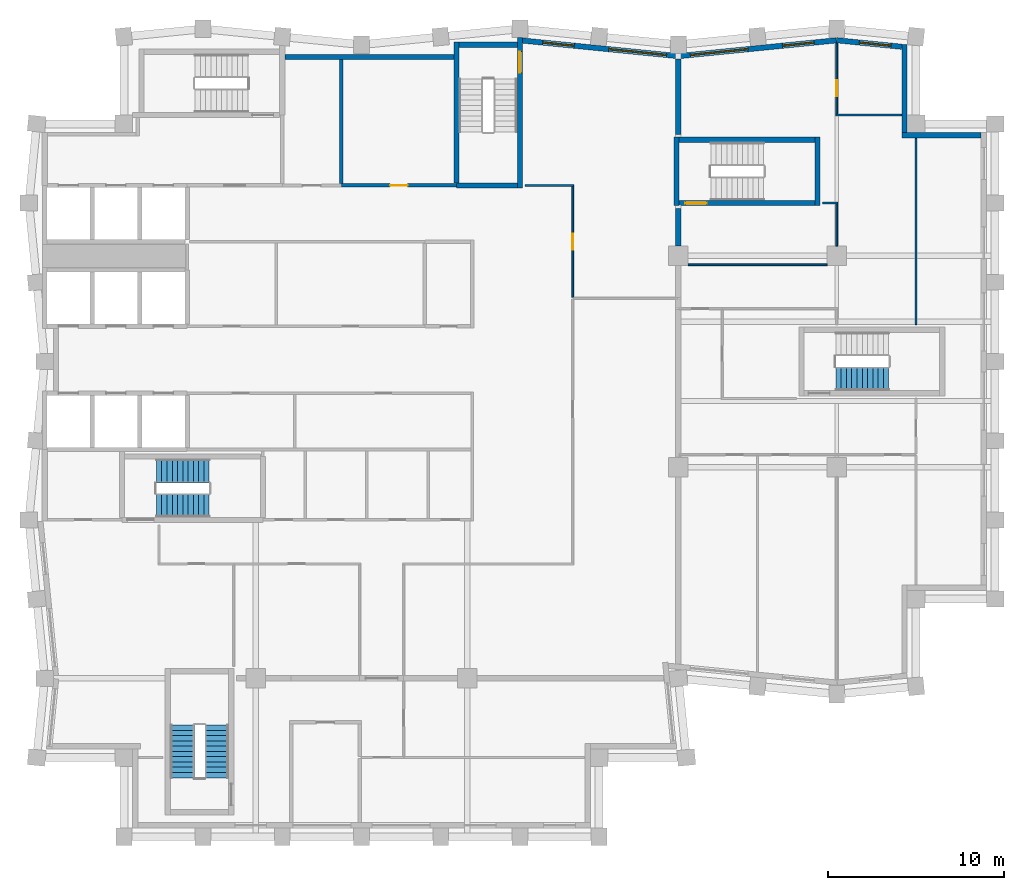
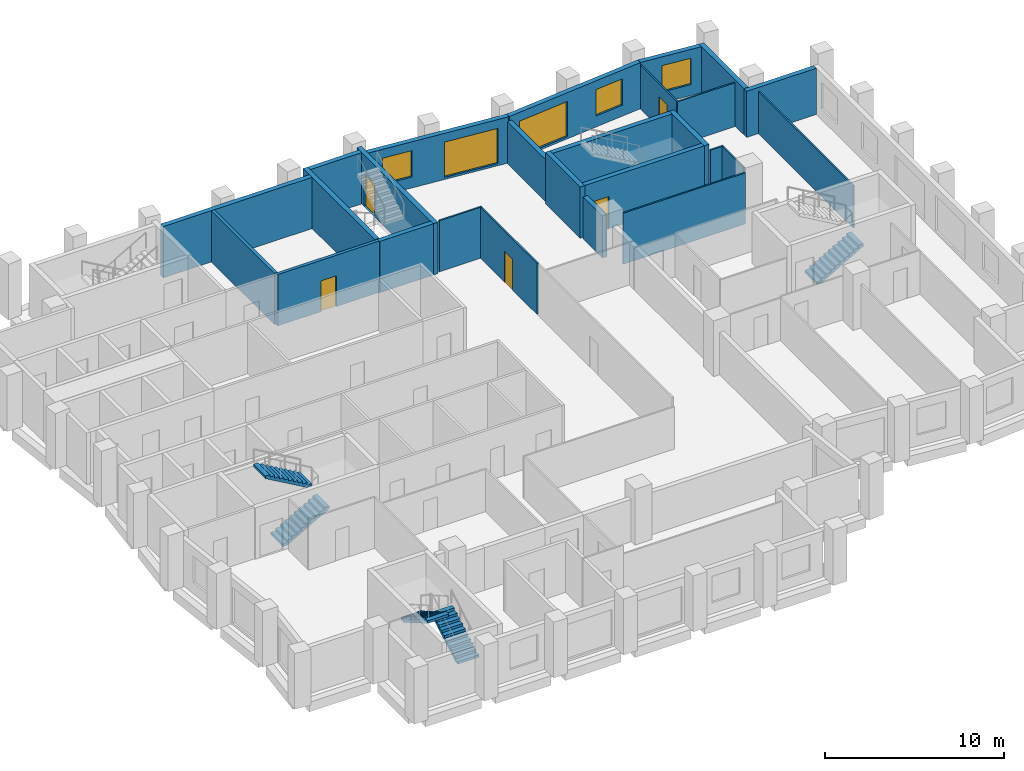
# One storey, part 6 of 8: 26 walls, 5 doors, 5 stair flights, 5 windows, 10 openings, 3 elements without a shape of their own.
"""IFC4 building model written with IfcOpenShell, lengths in metres."""

from ifc_helpers import new_model, si_unit, direction, frame, frame_2d, origin, place, context, subcontext, project, spatial, polyline, rectangle, outline, extrude, material, layer, layer_set, type_object, element, fill, aggregate, save


model = new_model("IFC4")

# Units and contexts
model_context = context("Model", 3, precision=1e-05, world=origin(), true_north=direction((0.0, 1.0)))
body_context = subcontext(model_context, "Body", "Model", "MODEL_VIEW")
ifc_project = project(units=[si_unit("LENGTHUNIT", "METRE"), si_unit("AREAUNIT", "SQUARE_METRE"), si_unit("VOLUMEUNIT", "CUBIC_METRE"), si_unit("PLANEANGLEUNIT", "RADIAN"), si_unit("MASSUNIT", "GRAM", prefix="KILO")], contexts=[model_context])

# Site, building, storey
site_placement = place(None, origin())
site = spatial("IfcSite", under=ifc_project, at=site_placement, CompositionType="ELEMENT")
building_placement = place(site_placement, origin())
building = spatial("IfcBuilding", under=site, at=building_placement, Name="Brondeck Convention Tower", CompositionType="ELEMENT")
storey_placement = place(building_placement, frame((0.0, 0.0, 229.199951171875)))
storey = spatial("IfcBuildingStorey", under=building, at=storey_placement, Name="L56", CompositionType="ELEMENT", Elevation=229.199951171875)

# Walls
ifc_material_1 = material(Name="Concrete compartment wall C30/37", Category="concrete")
ifc_layer_1 = layer(ifc_material_1, 0.300048828125)
ifc_layer_set_1 = layer_set([ifc_layer_1], Name="Compartment wall 300")
wall_type_1 = type_object("IfcWallType", Name="Compartment wall 300", PredefinedType="PARTITIONING", material=ifc_layer_set_1)
wall_1_placement = place(storey_placement, frame((36.0, 51.554931640625, 0.0), z_axis=(0.0, 0.0, 1.0), x_axis=(0.0, 1.0, 0.0)))
element("IfcWall", 1, at=wall_1_placement, inside=storey, type_object=wall_type_1, Name="FLR-L56-W048", PredefinedType="PARTITIONING", context=body_context, shape_type="SweptSolid", body=[
    extrude(rectangle(XDim=2.14501953125, YDim=0.300048828125, at=frame_2d((1.072509765625, 0.0))), origin(), (0.0, 0.0, 1.0), 2.880126953125),
])
wall_2_placement = place(storey_placement, frame((36.0, 57.89990234375, 0.0), z_axis=(0.0, 0.0, 1.0), x_axis=(0.0, 1.0, 0.0)))
element("IfcWall", 2, at=wall_2_placement, inside=storey, type_object=wall_type_1, Name="FLR-L56-W053", PredefinedType="PARTITIONING", context=body_context, shape_type="SweptSolid", body=[
    extrude(rectangle(XDim=4.2763671875, YDim=0.300048828125, at=frame_2d((2.13818359375, 0.0))), origin(), (0.0, 0.0, 1.0), 2.880126953125),
])
ifc_material_2 = material(Name="Concrete C50/60", Category="concrete")
ifc_layer_2 = layer(ifc_material_2, 0.300048828125)
ifc_layer_set_2 = layer_set([ifc_layer_2], Name="Core outer wall 300 Concrete C50/60")
wall_type_2 = type_object("IfcWallType", Name="Core outer wall 300 Concrete C50/60", PredefinedType="SHEAR", material=ifc_layer_set_2)
wall_3_placement = place(storey_placement, frame((13.64990234375, 62.300048828125, 0.0), z_axis=(0.0, 0.0, 1.0), x_axis=(1.0, 0.0, 0.0)))
element("IfcWall", 3, at=wall_3_placement, inside=storey, type_object=wall_type_2, Name="L56 core wall", PredefinedType="SHEAR", context=body_context, shape_type="SweptSolid", body=[
    extrude(rectangle(XDim=9.60009765625, YDim=0.300048828125, at=frame_2d((4.800048828125, 0.0))), origin(), (0.0, 0.0, 1.0), 3.5),
])
ifc_material_3 = material(Name="Precast concrete C50/60 bronze finish", Category="concrete")
ifc_layer_3 = layer(ifc_material_3, 0.070068359375, Name="Bronze precast facing")
ifc_material_4 = material(Name="Mineral wool")
ifc_layer_4 = layer(ifc_material_4, 0.159912109375, Name="Insulation")
ifc_material_5 = material(Name="Concrete C35/45", Category="concrete")
ifc_layer_5 = layer(ifc_material_5, 0.070068359375, Name="Backing")
ifc_layer_set_3 = layer_set([ifc_layer_3, ifc_layer_4, ifc_layer_5], Name="External infill wall, precast concrete C50/60 bronze facing")
wall_type_3 = type_object("IfcWallType", Name="External infill wall, precast concrete C50/60 bronze facing", PredefinedType="SOLIDWALL", material=ifc_layer_set_3)
wall_4_placement = place(storey_placement, frame((48.699951171875, 57.85009765625, 0.0), z_axis=(0.0, 0.0, 1.0), x_axis=(1.0, 0.0, 0.0)))
element("IfcWall", 4, at=wall_4_placement, inside=storey, type_object=wall_type_3, Name="ENV-EW-L56-P2-NC-NEA54-01", PredefinedType="SOLIDWALL", context=body_context, shape_type="SweptSolid", body=[
    extrude(rectangle(XDim=4.501953125, YDim=0.300048828125, at=frame_2d((2.2509765625, 0.0))), origin(), (0.0, 0.0, 1.0), 3.150146484375),
])
wall_5_placement = place(storey_placement, frame((48.85009765625, 62.99755859375, 0.0), z_axis=(0.0, 0.0, 1.0), x_axis=(0.0, -1.0, 0.0)))
element("IfcWall", 5, at=wall_5_placement, inside=storey, type_object=wall_type_3, Name="ENV-EW-L56-P2-NC-NEA54-02", PredefinedType="SOLIDWALL", context=body_context, shape_type="SweptSolid", body=[
    extrude(rectangle(XDim=4.99951171875, YDim=0.300048828125, at=frame_2d((2.499755859375, 0.0))), origin(), (0.0, 0.0, 1.0), 3.150146484375),
])

# Wall, opening, window
wall_6_placement = place(storey_placement, frame((44.985107421875, 63.248291015625, 0.0), z_axis=(0.0, 0.0, 1.0), x_axis=(0.995037837869, -0.099497242219, 0.0)))
wall_6 = element("IfcWall", 6, at=wall_6_placement, inside=storey, type_object=wall_type_3, Name="ENV-EW-L56-P2-A-N-10", PredefinedType="SOLIDWALL", context=body_context, shape_type="SweptSolid", body=[
    extrude(rectangle(XDim=3.732177734375, YDim=0.300048828125, at=frame_2d((1.8662109375, 0.0))), origin(), (0.0, 0.0, 1.0), 3.150146484375),
])
opening_1_placement = place(wall_6_placement, frame((1.311279296875, 0.0, 0.75)))
opening_1 = element("IfcOpeningElement", 7, at=opening_1_placement, cuts=wall_6, Name="Opening W10", PredefinedType="OPENING", context=body_context, shape_type="SweptSolid", body=[
    extrude(rectangle(XDim=1.800048828125, YDim=1.800048828125, at=frame_2d((0.89990234375, 0.89990234375))), frame((0.0, 0.159912109375, 0.0), z_axis=(0.0, -1.0, 0.0), x_axis=(1.0, 0.0, 0.0)), (0.0, 0.0, 1.0), 0.320068359375),
])
ifc_material_6 = material(Name="Bronze tinted double glazing", Category="glass")
window_type_1 = type_object("IfcWindowType", Name="Punched window, bronze tinted", PartitioningType="SINGLE_PANEL", PredefinedType="WINDOW", material=ifc_material_6)
window_1_placement = place(opening_1_placement, origin())
window_1 = element("IfcWindow", 8, at=window_1_placement, inside=storey, type_object=window_type_1, Name="ENV-WN-L56-P2-A-N-10", OverallHeight=1.800048828125, OverallWidth=1.800048828125, PartitioningType="SINGLE_PANEL", PredefinedType="WINDOW", context=body_context, shape_type="SweptSolid", body=[
    extrude(rectangle(XDim=1.800048828125, YDim=1.800048828125, at=frame_2d((0.89990234375, 0.89990234375))), frame((0.0, 0.030029296875, 0.0), z_axis=(0.0, -1.0, 0.0), x_axis=(1.0, 0.0, 0.0)), (0.0, 0.0, 1.0), 0.06005859375),
])
fill(opening_1, window_1)

# Wall, openings, windows
wall_7_placement = place(storey_placement, frame((35.985107421875, 62.34521484375, 0.0), z_axis=(0.0, 0.0, 1.0), x_axis=(0.995035316196, 0.099522457379, 0.0)))
wall_7 = element("IfcWall", 9, at=wall_7_placement, inside=storey, type_object=wall_type_3, Name="ENV-EW-L56-P2-A-N-09", PredefinedType="SOLIDWALL", context=body_context, shape_type="SweptSolid", body=[
    extrude(rectangle(XDim=9.030029296875, YDim=0.300048828125, at=frame_2d((4.51513671875, 0.0))), origin(), (0.0, 0.0, 1.0), 3.150146484375),
])
opening_2_placement = place(wall_7_placement, frame((0.691162109375, 0.0, 0.14990234375)))
opening_2 = element("IfcOpeningElement", 10, at=opening_2_placement, cuts=wall_7, Name="Opening W9", PredefinedType="OPENING", context=body_context, shape_type="SweptSolid", body=[
    extrude(rectangle(XDim=3.300048828125, YDim=2.39990234375, at=frame_2d((1.64990234375, 1.199951171875))), frame((0.0, 0.159912109375, 0.0), z_axis=(0.0, -1.0, 0.0), x_axis=(1.0, 0.0, 0.0)), (0.0, 0.0, 1.0), 0.320068359375),
])
opening_3_placement = place(wall_7_placement, frame((5.963623046875, 0.0, 0.75)))
opening_3 = element("IfcOpeningElement", 11, at=opening_3_placement, cuts=wall_7, Name="Opening W10", PredefinedType="OPENING", context=body_context, shape_type="SweptSolid", body=[
    extrude(rectangle(XDim=1.800048828125, YDim=1.800048828125, at=frame_2d((0.89990234375, 0.89990234375))), frame((0.0, 0.159912109375, 0.0), z_axis=(0.0, -1.0, 0.0), x_axis=(1.0, 0.0, 0.0)), (0.0, 0.0, 1.0), 0.320068359375),
])
window_type_2 = type_object("IfcWindowType", Name="Glazed flute window, bronze tinted", PartitioningType="SINGLE_PANEL", PredefinedType="WINDOW", material=ifc_material_6)
window_2_placement = place(opening_2_placement, origin())
window_2 = element("IfcWindow", 12, at=window_2_placement, inside=storey, type_object=window_type_2, Name="ENV-WN-L56-P2-A-N-08", OverallHeight=2.39990234375, OverallWidth=3.300048828125, PartitioningType="SINGLE_PANEL", PredefinedType="WINDOW", context=body_context, shape_type="SweptSolid", body=[
    extrude(rectangle(XDim=3.300048828125, YDim=2.39990234375, at=frame_2d((1.64990234375, 1.199951171875))), frame((0.0, 0.030029296875, 0.0), z_axis=(0.0, -1.0, 0.0), x_axis=(1.0, 0.0, 0.0)), (0.0, 0.0, 1.0), 0.06005859375),
])
fill(opening_2, window_2)
window_3_placement = place(opening_3_placement, origin())
window_3 = element("IfcWindow", 13, at=window_3_placement, inside=storey, type_object=window_type_1, Name="ENV-WN-L56-P2-A-N-09", OverallHeight=1.800048828125, OverallWidth=1.800048828125, PartitioningType="SINGLE_PANEL", PredefinedType="WINDOW", context=body_context, shape_type="SweptSolid", body=[
    extrude(rectangle(XDim=1.800048828125, YDim=1.800048828125, at=frame_2d((0.89990234375, 0.89990234375))), frame((0.0, 0.030029296875, 0.0), z_axis=(0.0, -1.0, 0.0), x_axis=(1.0, 0.0, 0.0)), (0.0, 0.0, 1.0), 0.06005859375),
])
fill(opening_3, window_3)

wall_8_placement = place(storey_placement, frame((27.084716796875, 63.23828125, 0.0), z_axis=(0.0, 0.0, 1.0), x_axis=(0.995035836657, -0.099517253618, 0.0)))
wall_8 = element("IfcWall", 14, at=wall_8_placement, inside=storey, type_object=wall_type_3, Name="ENV-EW-L56-P2-A-N-07", PredefinedType="SOLIDWALL", context=body_context, shape_type="SweptSolid", body=[
    extrude(rectangle(XDim=8.929931640625, YDim=0.300048828125, at=frame_2d((4.46484375, 0.0))), origin(), (0.0, 0.0, 1.0), 3.150146484375),
])
opening_4_placement = place(wall_8_placement, frame((1.211181640625, 0.0, 0.75)))
opening_4 = element("IfcOpeningElement", 15, at=opening_4_placement, cuts=wall_8, Name="Opening W10", PredefinedType="OPENING", context=body_context, shape_type="SweptSolid", body=[
    extrude(rectangle(XDim=1.800048828125, YDim=1.800048828125, at=frame_2d((0.89990234375, 0.89990234375))), frame((0.0, 0.159912109375, 0.0), z_axis=(0.0, -1.0, 0.0), x_axis=(1.0, 0.0, 0.0)), (0.0, 0.0, 1.0), 0.320068359375),
])
opening_5_placement = place(wall_8_placement, frame((4.983642578125, 0.0, 0.14990234375)))
opening_5 = element("IfcOpeningElement", 16, at=opening_5_placement, cuts=wall_8, Name="Opening W9", PredefinedType="OPENING", context=body_context, shape_type="SweptSolid", body=[
    extrude(rectangle(XDim=3.300048828125, YDim=2.39990234375, at=frame_2d((1.64990234375, 1.199951171875))), frame((0.0, 0.159912109375, 0.0), z_axis=(0.0, -1.0, 0.0), x_axis=(1.0, 0.0, 0.0)), (0.0, 0.0, 1.0), 0.320068359375),
])
window_4_placement = place(opening_5_placement, origin())
window_4 = element("IfcWindow", 17, at=window_4_placement, inside=storey, type_object=window_type_2, Name="ENV-WN-L56-P2-A-N-07", OverallHeight=2.39990234375, OverallWidth=3.300048828125, PartitioningType="SINGLE_PANEL", PredefinedType="WINDOW", context=body_context, shape_type="SweptSolid", body=[
    extrude(rectangle(XDim=3.300048828125, YDim=2.39990234375, at=frame_2d((1.64990234375, 1.199951171875))), frame((0.0, 0.030029296875, 0.0), z_axis=(0.0, -1.0, 0.0), x_axis=(1.0, 0.0, 0.0)), (0.0, 0.0, 1.0), 0.06005859375),
])
fill(opening_5, window_4)
window_5_placement = place(opening_4_placement, origin())
window_5 = element("IfcWindow", 18, at=window_5_placement, inside=storey, type_object=window_type_1, Name="ENV-WN-L56-P2-A-N-06", OverallHeight=1.800048828125, OverallWidth=1.800048828125, PartitioningType="SINGLE_PANEL", PredefinedType="WINDOW", context=body_context, shape_type="SweptSolid", body=[
    extrude(rectangle(XDim=1.800048828125, YDim=1.800048828125, at=frame_2d((0.89990234375, 0.89990234375))), frame((0.0, 0.030029296875, 0.0), z_axis=(0.0, -1.0, 0.0), x_axis=(1.0, 0.0, 0.0)), (0.0, 0.0, 1.0), 0.06005859375),
])
fill(opening_4, window_5)

# Wall, opening, door
ifc_material_7 = material(Name="Fire-rated gypsum board partition")
ifc_layer_6 = layer(ifc_material_7, 0.199951171875)
ifc_layer_set_4 = layer_set([ifc_layer_6], Name="Riser wall 200 EI 120")
wall_type_4 = type_object("IfcWallType", Name="Riser wall 200 EI 120", PredefinedType="PARTITIONING", material=ifc_layer_set_4)
wall_9_placement = place(storey_placement, frame((16.85009765625, 55.0, 0.0), z_axis=(0.0, 0.0, 1.0), x_axis=(1.0, 0.0, 0.0)))
wall_9 = element("IfcWall", 19, at=wall_9_placement, inside=storey, type_object=wall_type_4, Name="L56 core wall", PredefinedType="PARTITIONING", context=body_context, shape_type="SweptSolid", body=[
    extrude(rectangle(XDim=6.5498046875, YDim=0.199951171875, at=frame_2d((3.27490234375, 0.0))), origin(), (0.0, 0.0, 1.0), 3.5),
])
opening_6_placement = place(wall_9_placement, frame((2.77490234375, 0.0, 0.0)))
opening_6 = element("IfcOpeningElement", 20, at=opening_6_placement, cuts=wall_9, Name="Opening C30-13", PredefinedType="OPENING", context=body_context, shape_type="SweptSolid", body=[
    extrude(rectangle(XDim=1.0, YDim=2.10009765625, at=frame_2d((0.5, 1.050048828125))), frame((0.0, 0.10986328125, 0.0), z_axis=(0.0, -1.0, 0.0), x_axis=(1.0, 0.0, 0.0)), (0.0, 0.0, 1.0), 0.219970703125),
])
ifc_material_8 = material(Name="Steel fire door", Category="steel")
door_type_1 = type_object("IfcDoorType", Name="Riser door 1000x2100 EI 120", OperationType="NOTDEFINED", PredefinedType="DOOR", material=ifc_material_8)
door_1_placement = place(opening_6_placement, origin())
door_1 = element("IfcDoor", 21, at=door_1_placement, inside=storey, type_object=door_type_1, Name="L56 Riser door NE-2", OperationType="SINGLE_SWING_RIGHT", OverallHeight=2.10009765625, OverallWidth=1.0, PredefinedType="DOOR", context=body_context, shape_type="SweptSolid", body=[
    extrude(rectangle(XDim=1.0, YDim=2.10009765625, at=frame_2d((0.5, 1.050048828125))), frame((0.0, 0.02490234375, 0.0), z_axis=(0.0, -1.0, 0.0), x_axis=(1.0, 0.0, 0.0)), (0.0, 0.0, 1.0), 0.050048828125),
])
fill(opening_6, door_1)

# Walls
wall_10_placement = place(storey_placement, frame((16.85009765625, 55.10009765625, 0.0), z_axis=(0.0, 0.0, 1.0), x_axis=(0.0, 1.0, 0.0)))
element("IfcWall", 22, at=wall_10_placement, inside=storey, type_object=wall_type_4, Name="L56 core wall", PredefinedType="PARTITIONING", context=body_context, shape_type="SweptSolid", body=[
    extrude(rectangle(XDim=7.0498046875, YDim=0.199951171875, at=frame_2d((3.52490234375, 0.0))), origin(), (0.0, 0.0, 1.0), 3.5),
])
ifc_material_9 = material(Name="Gypsum board partition on steel studs", Category="steel")
ifc_layer_7 = layer(ifc_material_9, 0.10009765625)
ifc_layer_set_5 = layer_set([ifc_layer_7], Name="Room partition 100")
wall_type_5 = type_object("IfcWallType", Name="Room partition 100", PredefinedType="PARTITIONING", material=ifc_layer_set_5)
wall_11_placement = place(storey_placement, frame((49.5, 47.10009765625, 0.0), z_axis=(0.0, 0.0, 1.0), x_axis=(0.0, 1.0, 0.0)))
element("IfcWall", 23, at=wall_11_placement, inside=storey, type_object=wall_type_5, Name="FLR-L56-W038", PredefinedType="PARTITIONING", context=body_context, shape_type="SweptSolid", body=[
    extrude(rectangle(XDim=10.579833984375, YDim=0.10009765625, at=frame_2d((5.2900390625, 0.0))), origin(), (0.0, 0.0, 1.0), 2.880126953125),
])
wall_12_placement = place(storey_placement, frame((44.445068359375, 50.5, 0.0), z_axis=(0.0, 0.0, 1.0), x_axis=(-1.0, 0.0, 0.0)))
element("IfcWall", 24, at=wall_12_placement, inside=storey, type_object=wall_type_5, Name="FLR-L56-W047", PredefinedType="PARTITIONING", context=body_context, shape_type="SweptSolid", body=[
    extrude(rectangle(XDim=7.89013671875, YDim=0.10009765625, at=frame_2d((3.945068359375, 0.0))), origin(), (0.0, 0.0, 1.0), 3.47998046875),
])
wall_13_placement = place(storey_placement, frame((45.0, 53.949951171875, 0.0), z_axis=(0.0, 0.0, 1.0), x_axis=(0.0, -1.0, 0.0)))
element("IfcWall", 25, at=wall_13_placement, inside=storey, type_object=wall_type_5, Name="FLR-L56-W049", PredefinedType="PARTITIONING", context=body_context, shape_type="SweptSolid", body=[
    extrude(rectangle(XDim=2.39501953125, YDim=0.10009765625, at=frame_2d((1.197509765625, 0.0))), origin(), (0.0, 0.0, 1.0), 2.97998046875),
])
wall_14_placement = place(storey_placement, frame((44.199951171875, 54.0, 0.0), z_axis=(0.0, 0.0, 1.0), x_axis=(1.0, 0.0, 0.0)))
element("IfcWall", 26, at=wall_14_placement, inside=storey, type_object=wall_type_5, Name="FLR-L56-W050", PredefinedType="PARTITIONING", context=body_context, shape_type="SweptSolid", body=[
    extrude(rectangle(XDim=0.85009765625, YDim=0.10009765625, at=frame_2d((0.425048828125, 0.0))), origin(), (0.0, 0.0, 1.0), 2.97998046875),
])

# Wall, opening, door
wall_15_placement = place(storey_placement, frame((30.0, 54.949951171875, 0.0), z_axis=(0.0, 0.0, 1.0), x_axis=(0.0, -1.0, 0.0)))
wall_15 = element("IfcWall", 27, at=wall_15_placement, inside=storey, type_object=wall_type_5, Name="FLR-L56-W051", PredefinedType="PARTITIONING", context=body_context, shape_type="SweptSolid", body=[
    extrude(rectangle(XDim=6.31201171875, YDim=0.10009765625, at=frame_2d((3.156005859375, 0.0))), origin(), (0.0, 0.0, 1.0), 3.47998046875),
])
opening_7_placement = place(wall_15_placement, frame((2.7060546875, 0.0, 0.0)))
opening_7 = element("IfcOpeningElement", 28, at=opening_7_placement, cuts=wall_15, Name="Opening OF-M-014", PredefinedType="OPENING", context=body_context, shape_type="SweptSolid", body=[
    extrude(rectangle(XDim=0.89990234375, YDim=2.10009765625, at=frame_2d((0.449951171875, 1.050048828125))), frame((0.0, 0.06005859375, 0.0), z_axis=(0.0, -1.0, 0.0), x_axis=(1.0, 0.0, 0.0)), (0.0, 0.0, 1.0), 0.1201171875),
])
ifc_material_10 = material(Name="Solid timber door leaf", Category="wood")
door_type_2 = type_object("IfcDoorType", Name="Single door 900", OperationType="NOTDEFINED", PredefinedType="DOOR", material=ifc_material_10)
door_2_placement = place(opening_7_placement, origin())
door_2 = element("IfcDoor", 29, at=door_2_placement, inside=storey, type_object=door_type_2, Name="Door OF-M-014", OperationType="SINGLE_SWING_LEFT", OverallHeight=2.10009765625, OverallWidth=0.89990234375, PredefinedType="DOOR", context=body_context, shape_type="SweptSolid", body=[
    extrude(rectangle(XDim=0.89990234375, YDim=2.10009765625, at=frame_2d((0.449951171875, 1.050048828125))), frame((0.0, 0.02490234375, 0.0), z_axis=(0.0, -1.0, 0.0), x_axis=(1.0, 0.0, 0.0)), (0.0, 0.0, 1.0), 0.050048828125),
])
fill(opening_7, door_2)

# Walls
wall_16_placement = place(storey_placement, frame((27.300048828125, 55.0, 0.0), z_axis=(0.0, 0.0, 1.0), x_axis=(1.0, 0.0, 0.0)))
element("IfcWall", 30, at=wall_16_placement, inside=storey, type_object=wall_type_5, Name="FLR-L56-W052", PredefinedType="PARTITIONING", context=body_context, shape_type="SweptSolid", body=[
    extrude(rectangle(XDim=2.75, YDim=0.10009765625, at=frame_2d((1.375, 0.0))), origin(), (0.0, 0.0, 1.0), 3.47998046875),
])
wall_17_placement = place(storey_placement, frame((44.949951171875, 59.0, 0.0), z_axis=(0.0, 0.0, 1.0), x_axis=(1.0, 0.0, 0.0)))
element("IfcWall", 31, at=wall_17_placement, inside=storey, type_object=wall_type_5, Name="FLR-L56-W054", PredefinedType="PARTITIONING", context=body_context, shape_type="SweptSolid", body=[
    extrude(rectangle(XDim=3.72998046875, YDim=0.10009765625, at=frame_2d((1.864990234375, 0.0))), origin(), (0.0, 0.0, 1.0), 2.97998046875),
])

# Wall, opening, door
wall_18_placement = place(storey_placement, frame((45.0, 63.076171875, 0.0), z_axis=(0.0, 0.0, 1.0), x_axis=(0.0, -1.0, 0.0)))
wall_18 = element("IfcWall", 32, at=wall_18_placement, inside=storey, type_object=wall_type_5, Name="FLR-L56-W056", PredefinedType="PARTITIONING", context=body_context, shape_type="SweptSolid", body=[
    extrude(rectangle(XDim=4.026123046875, YDim=0.10009765625, at=frame_2d((2.01318359375, 0.0))), origin(), (0.0, 0.0, 1.0), 2.97998046875),
])
opening_8_placement = place(wall_18_placement, frame((2.10107421875, 0.0, 0.0)))
opening_8 = element("IfcOpeningElement", 33, at=opening_8_placement, cuts=wall_18, Name="Opening OF-M-008", PredefinedType="OPENING", context=body_context, shape_type="SweptSolid", body=[
    extrude(rectangle(XDim=0.89990234375, YDim=2.10009765625, at=frame_2d((0.449951171875, 1.050048828125))), frame((0.0, 0.06005859375, 0.0), z_axis=(0.0, -1.0, 0.0), x_axis=(1.0, 0.0, 0.0)), (0.0, 0.0, 1.0), 0.1201171875),
])
door_3_placement = place(opening_8_placement, origin())
door_3 = element("IfcDoor", 34, at=door_3_placement, inside=storey, type_object=door_type_2, Name="Door OF-M-008", OperationType="SINGLE_SWING_LEFT", OverallHeight=2.10009765625, OverallWidth=0.89990234375, PredefinedType="DOOR", context=body_context, shape_type="SweptSolid", body=[
    extrude(rectangle(XDim=0.89990234375, YDim=2.10009765625, at=frame_2d((0.449951171875, 1.050048828125))), frame((0.0, 0.02490234375, 0.0), z_axis=(0.0, -1.0, 0.0), x_axis=(1.0, 0.0, 0.0)), (0.0, 0.0, 1.0), 0.050048828125),
])
fill(opening_8, door_3)

ifc_layer_8 = layer(ifc_material_2, 0.300048828125)
ifc_layer_set_6 = layer_set([ifc_layer_8], Name="Stair enclosure wall 300 Concrete C50/60")
wall_type_6 = type_object("IfcWallType", Name="Stair enclosure wall 300 Concrete C50/60", PredefinedType="SHEAR", material=ifc_layer_set_6)
wall_19_placement = place(storey_placement, frame((36.050048828125, 54.0, 0.0), z_axis=(0.0, 0.0, 1.0), x_axis=(1.0, 0.0, 0.0)))
wall_19 = element("IfcWall", 35, at=wall_19_placement, inside=storey, type_object=wall_type_6, Name="L56 core wall", PredefinedType="SHEAR", context=body_context, shape_type="SweptSolid", body=[
    extrude(rectangle(XDim=7.699951171875, YDim=0.300048828125, at=frame_2d((3.85009765625, 0.0))), origin(), (0.0, 0.0, 1.0), 3.5),
])
opening_9_placement = place(wall_19_placement, frame((0.35009765625, 0.0, 0.0)))
opening_9 = element("IfcOpeningElement", 36, at=opening_9_placement, cuts=wall_19, Name="Opening C30-17", PredefinedType="OPENING", context=body_context, shape_type="SweptSolid", body=[
    extrude(rectangle(XDim=1.199951171875, YDim=2.199951171875, at=frame_2d((0.60009765625, 1.10009765625))), frame((0.0, 0.159912109375, 0.0), z_axis=(0.0, -1.0, 0.0), x_axis=(1.0, 0.0, 0.0)), (0.0, 0.0, 1.0), 0.320068359375),
])
door_type_3 = type_object("IfcDoorType", Name="Stair door 1200x2200 EI 90", OperationType="NOTDEFINED", PredefinedType="DOOR", material=ifc_material_8)
door_4_placement = place(opening_9_placement, origin())
door_4 = element("IfcDoor", 37, at=door_4_placement, inside=storey, type_object=door_type_3, Name="L56 Stair door ST-AE", OperationType="SINGLE_SWING_LEFT", OverallHeight=2.199951171875, OverallWidth=1.199951171875, PredefinedType="DOOR", context=body_context, shape_type="SweptSolid", body=[
    extrude(rectangle(XDim=1.199951171875, YDim=2.199951171875, at=frame_2d((0.60009765625, 1.10009765625))), frame((0.0, 0.02490234375, 0.0), z_axis=(0.0, -1.0, 0.0), x_axis=(1.0, 0.0, 0.0)), (0.0, 0.0, 1.0), 0.050048828125),
])
fill(opening_9, door_4)

# Walls
wall_20_placement = place(storey_placement, frame((23.39990234375, 55.0, 0.0), z_axis=(0.0, 0.0, 1.0), x_axis=(1.0, 0.0, 0.0)))
element("IfcWall", 38, at=wall_20_placement, inside=storey, type_object=wall_type_6, Name="L56 core wall", PredefinedType="SHEAR", context=body_context, shape_type="SweptSolid", body=[
    extrude(rectangle(XDim=3.4501953125, YDim=0.300048828125, at=frame_2d((1.72509765625, 0.0))), origin(), (0.0, 0.0, 1.0), 3.5),
])
wall_21_placement = place(storey_placement, frame((36.050048828125, 57.60009765625, 0.0), z_axis=(0.0, 0.0, 1.0), x_axis=(1.0, 0.0, 0.0)))
element("IfcWall", 39, at=wall_21_placement, inside=storey, type_object=wall_type_6, Name="L56 core wall", PredefinedType="SHEAR", context=body_context, shape_type="SweptSolid", body=[
    extrude(rectangle(XDim=7.699951171875, YDim=0.300048828125, at=frame_2d((3.85009765625, 0.0))), origin(), (0.0, 0.0, 1.0), 3.5),
])
wall_22_placement = place(storey_placement, frame((23.550048828125, 63.0, 0.0), z_axis=(0.0, 0.0, 1.0), x_axis=(1.0, 0.0, 0.0)))
element("IfcWall", 40, at=wall_22_placement, inside=storey, type_object=wall_type_6, Name="L56 core wall", PredefinedType="SHEAR", context=body_context, shape_type="SweptSolid", body=[
    extrude(rectangle(XDim=3.300048828125, YDim=0.300048828125, at=frame_2d((1.64990234375, 0.0))), origin(), (0.0, 0.0, 1.0), 3.5),
])
wall_23_placement = place(storey_placement, frame((23.39990234375, 55.14990234375, 0.0), z_axis=(0.0, 0.0, 1.0), x_axis=(0.0, 1.0, 0.0)))
element("IfcWall", 41, at=wall_23_placement, inside=storey, type_object=wall_type_6, Name="L56 core wall", PredefinedType="SHEAR", context=body_context, shape_type="SweptSolid", body=[
    extrude(rectangle(XDim=8.0, YDim=0.300048828125, at=frame_2d((4.0, 0.0))), origin(), (0.0, 0.0, 1.0), 3.5),
])

# Wall, opening, door
wall_24_placement = place(storey_placement, frame((27.0, 54.85009765625, 0.0), z_axis=(0.0, 0.0, 1.0), x_axis=(0.0, 1.0, 0.0)))
wall_24 = element("IfcWall", 42, at=wall_24_placement, inside=storey, type_object=wall_type_6, Name="L56 core wall", PredefinedType="SHEAR", context=body_context, shape_type="SweptSolid", body=[
    extrude(rectangle(XDim=8.5498046875, YDim=0.300048828125, at=frame_2d((4.27490234375, 0.0))), origin(), (0.0, 0.0, 1.0), 3.5),
])
opening_10_placement = place(wall_24_placement, frame((6.550048828125, 0.0, 0.0)))
opening_10 = element("IfcOpeningElement", 43, at=opening_10_placement, cuts=wall_24, Name="Opening C30-15", PredefinedType="OPENING", context=body_context, shape_type="SweptSolid", body=[
    extrude(rectangle(XDim=1.199951171875, YDim=2.199951171875, at=frame_2d((0.60009765625, 1.10009765625))), frame((0.0, 0.159912109375, 0.0), z_axis=(0.0, -1.0, 0.0), x_axis=(1.0, 0.0, 0.0)), (0.0, 0.0, 1.0), 0.320068359375),
])
door_5_placement = place(opening_10_placement, origin())
door_5 = element("IfcDoor", 44, at=door_5_placement, inside=storey, type_object=door_type_3, Name="L56 Stair door ST-2", OperationType="SINGLE_SWING_LEFT", OverallHeight=2.199951171875, OverallWidth=1.199951171875, PredefinedType="DOOR", context=body_context, shape_type="SweptSolid", body=[
    extrude(rectangle(XDim=1.199951171875, YDim=2.199951171875, at=frame_2d((0.60009765625, 1.10009765625))), frame((0.0, 0.02490234375, 0.0), z_axis=(0.0, -1.0, 0.0), x_axis=(1.0, 0.0, 0.0)), (0.0, 0.0, 1.0), 0.050048828125),
])
fill(opening_10, door_5)

# Walls
for number, where, z_axis, x_axis, name in (
    (45, (35.89990234375, 53.85009765625, 0.0), (0.0, 0.0, 1.0), (0.0, 1.0, 0.0), "L56 core wall"),
    (46, (43.89990234375, 53.85009765625, 0.0), (0.0, 0.0, 1.0), (0.0, 1.0, 0.0), "L56 core wall"),
):
    element("IfcWall", number, at=place(storey_placement, frame(where, z_axis=z_axis, x_axis=x_axis)), inside=storey, type_object=wall_type_6, Name=name, PredefinedType="SHEAR", context=body_context, shape_type="SweptSolid", body=[
        extrude(rectangle(XDim=3.89990234375, YDim=0.300048828125, at=frame_2d((1.949951171875, 0.0))), origin(), (0.0, 0.0, 1.0), 3.5),
    ])

# Stair, stair flights
ifc_material_11 = material(Name="Precast concrete C50/60", Category="concrete")
stair_type = type_object("IfcStairType", Name="Core stair 22 risers 172.73 mm riser 300 mm going 1350 wide", PredefinedType="HALF_TURN_STAIR", material=ifc_material_11)
stair_1_placement = place(storey_placement, origin())
stair_1 = element("IfcStair", 47, at=stair_1_placement, inside=storey, type_object=stair_type, Name="ST-1 L56 stair", PredefinedType="HALF_TURN_STAIR")
stair_flight_type = type_object("IfcStairFlightType", Name="Core stair flight 22 risers 172.73 mm riser 300 mm going 1350 wide", PredefinedType="STRAIGHT", material=ifc_material_11)
stair_flight_1_placement = place(storey_placement, frame((6.35009765625, 36.824951171875, 0.0), z_axis=(0.0, 0.0, 1.0), x_axis=(1.0, 0.0, 0.0)))
stair_flight_1 = element("IfcStairFlight", 48, at=stair_flight_1_placement, type_object=stair_flight_type, Name="ST-1 flight 1", NumberOfRisers=11, NumberOfTreads=10, PredefinedType="STRAIGHT", RiserHeight=0.172727273, TreadLength=0.3, context=body_context, shape_type="SweptSolid", body=[
    extrude(outline(polyline([(0.0, 0.0), (0.0, 0.172607421875), (0.300048828125, 0.172607421875), (0.300048828125, 0.345458984375), (0.60009765625, 0.345458984375), (0.60009765625, 0.51806640625), (0.89990234375, 0.51806640625), (0.89990234375, 0.69091796875), (1.199951171875, 0.69091796875), (1.199951171875, 0.863525390625), (1.5, 0.863525390625), (1.5, 1.036376953125), (1.800048828125, 1.036376953125), (1.800048828125, 1.208984375), (2.10009765625, 1.208984375), (2.10009765625, 1.3818359375), (2.39990234375, 1.3818359375), (2.39990234375, 1.554443359375), (2.699951171875, 1.554443359375), (2.699951171875, 1.727294921875), (3.0, 1.727294921875), (3.0, 1.89990234375), (3.0, 1.55419921875), (0.300537109375, 0.0), (0.0, 0.0)])), frame((0.0, 0.675048828125, 0.0), z_axis=(0.0, -1.0, 0.0), x_axis=(1.0, 0.0, 0.0)), (0.0, 0.0, 1.0), 1.35009765625),
])
stair_flight_2_placement = place(storey_placement, frame((9.35009765625, 38.77490234375, 1.900146484375), z_axis=(0.0, 0.0, 1.0), x_axis=(-1.0, 0.0, 0.0)))
stair_flight_2 = element("IfcStairFlight", 49, at=stair_flight_2_placement, type_object=stair_flight_type, Name="ST-1 flight 2", NumberOfRisers=11, NumberOfTreads=10, PredefinedType="STRAIGHT", RiserHeight=0.172727273, TreadLength=0.3, context=body_context, shape_type="SweptSolid", body=[
    extrude(outline(polyline([(0.0, 0.0), (0.0, 0.172607421875), (0.300048828125, 0.172607421875), (0.300048828125, 0.345458984375), (0.60009765625, 0.345458984375), (0.60009765625, 0.51806640625), (0.89990234375, 0.51806640625), (0.89990234375, 0.69091796875), (1.199951171875, 0.69091796875), (1.199951171875, 0.863525390625), (1.5, 0.863525390625), (1.5, 1.036376953125), (1.800048828125, 1.036376953125), (1.800048828125, 1.208984375), (2.10009765625, 1.208984375), (2.10009765625, 1.3818359375), (2.39990234375, 1.3818359375), (2.39990234375, 1.554443359375), (2.699951171875, 1.554443359375), (2.699951171875, 1.727294921875), (3.0, 1.727294921875), (3.0, 1.89990234375), (3.0, 1.55419921875), (0.300537109375, 0.0), (0.0, 0.0)])), frame((0.0, 0.675048828125, 0.0), z_axis=(0.0, -1.0, 0.0), x_axis=(1.0, 0.0, 0.0)), (0.0, 0.0, 1.0), 1.35009765625),
])
aggregate(stair_1, [stair_flight_1, stair_flight_2])

stair_2_placement = place(storey_placement, origin())
stair_2 = element("IfcStair", 50, at=stair_2_placement, inside=storey, type_object=stair_type, Name="ST-BE L56 stair", PredefinedType="HALF_TURN_STAIR")
stair_flight_3_placement = place(storey_placement, frame((9.77490234375, 21.35009765625, 0.0), z_axis=(0.0, 0.0, 1.0), x_axis=(0.0, 1.0, 0.0)))
stair_flight_3 = element("IfcStairFlight", 51, at=stair_flight_3_placement, type_object=stair_flight_type, Name="ST-BE flight 1", NumberOfRisers=11, NumberOfTreads=10, PredefinedType="STRAIGHT", RiserHeight=0.172727273, TreadLength=0.3, context=body_context, shape_type="SweptSolid", body=[
    extrude(outline(polyline([(0.0, 0.0), (0.0, 0.172607421875), (0.300048828125, 0.172607421875), (0.300048828125, 0.345458984375), (0.60009765625, 0.345458984375), (0.60009765625, 0.51806640625), (0.89990234375, 0.51806640625), (0.89990234375, 0.69091796875), (1.199951171875, 0.69091796875), (1.199951171875, 0.863525390625), (1.5, 0.863525390625), (1.5, 1.036376953125), (1.800048828125, 1.036376953125), (1.800048828125, 1.208984375), (2.10009765625, 1.208984375), (2.10009765625, 1.3818359375), (2.39990234375, 1.3818359375), (2.39990234375, 1.554443359375), (2.699951171875, 1.554443359375), (2.699951171875, 1.727294921875), (3.0, 1.727294921875), (3.0, 1.89990234375), (3.0, 1.55419921875), (0.300537109375, 0.0), (0.0, 0.0)])), frame((0.0, 0.675048828125, 0.0), z_axis=(0.0, -1.0, 0.0), x_axis=(1.0, 0.0, 0.0)), (0.0, 0.0, 1.0), 1.35009765625),
])
stair_flight_4_placement = place(storey_placement, frame((7.824951171875, 24.35009765625, 1.900146484375), z_axis=(0.0, 0.0, 1.0), x_axis=(0.0, -1.0, 0.0)))
stair_flight_4 = element("IfcStairFlight", 52, at=stair_flight_4_placement, type_object=stair_flight_type, Name="ST-BE flight 2", NumberOfRisers=11, NumberOfTreads=10, PredefinedType="STRAIGHT", RiserHeight=0.172727273, TreadLength=0.3, context=body_context, shape_type="SweptSolid", body=[
    extrude(outline(polyline([(0.0, 0.0), (0.0, 0.172607421875), (0.300048828125, 0.172607421875), (0.300048828125, 0.345458984375), (0.60009765625, 0.345458984375), (0.60009765625, 0.51806640625), (0.89990234375, 0.51806640625), (0.89990234375, 0.69091796875), (1.199951171875, 0.69091796875), (1.199951171875, 0.863525390625), (1.5, 0.863525390625), (1.5, 1.036376953125), (1.800048828125, 1.036376953125), (1.800048828125, 1.208984375), (2.10009765625, 1.208984375), (2.10009765625, 1.3818359375), (2.39990234375, 1.3818359375), (2.39990234375, 1.554443359375), (2.699951171875, 1.554443359375), (2.699951171875, 1.727294921875), (3.0, 1.727294921875), (3.0, 1.89990234375), (3.0, 1.55419921875), (0.300537109375, 0.0), (0.0, 0.0)])), frame((0.0, 0.675048828125, 0.0), z_axis=(0.0, -1.0, 0.0), x_axis=(1.0, 0.0, 0.0)), (0.0, 0.0, 1.0), 1.35009765625),
])
aggregate(stair_2, [stair_flight_3, stair_flight_4])

# Stair, stair flight
stair_3_placement = place(storey_placement, origin())
stair_3 = element("IfcStair", 53, at=stair_3_placement, inside=storey, type_object=stair_type, Name="ST-AF L56 stair", PredefinedType="HALF_TURN_STAIR")
stair_flight_5_placement = place(storey_placement, frame((44.949951171875, 44.02490234375, 0.0), z_axis=(0.0, 0.0, 1.0), x_axis=(1.0, 0.0, 0.0)))
stair_flight_5 = element("IfcStairFlight", 54, at=stair_flight_5_placement, type_object=stair_flight_type, Name="ST-AF flight 1", NumberOfRisers=11, NumberOfTreads=10, PredefinedType="STRAIGHT", RiserHeight=0.172727273, TreadLength=0.3, context=body_context, shape_type="SweptSolid", body=[
    extrude(outline(polyline([(0.0, 0.0), (0.0, 0.172607421875), (0.300048828125, 0.172607421875), (0.300048828125, 0.345458984375), (0.60009765625, 0.345458984375), (0.60009765625, 0.51806640625), (0.89990234375, 0.51806640625), (0.89990234375, 0.69091796875), (1.199951171875, 0.69091796875), (1.199951171875, 0.863525390625), (1.5, 0.863525390625), (1.5, 1.036376953125), (1.800048828125, 1.036376953125), (1.800048828125, 1.208984375), (2.10009765625, 1.208984375), (2.10009765625, 1.3818359375), (2.39990234375, 1.3818359375), (2.39990234375, 1.554443359375), (2.699951171875, 1.554443359375), (2.699951171875, 1.727294921875), (3.0, 1.727294921875), (3.0, 1.89990234375), (3.0, 1.55419921875), (0.300537109375, 0.0), (0.0, 0.0)])), frame((0.0, 0.675048828125, 0.0), z_axis=(0.0, -1.0, 0.0), x_axis=(1.0, 0.0, 0.0)), (0.0, 0.0, 1.0), 1.35009765625),
])
aggregate(stair_3, [stair_flight_5])

save(model, "model.ifc")
